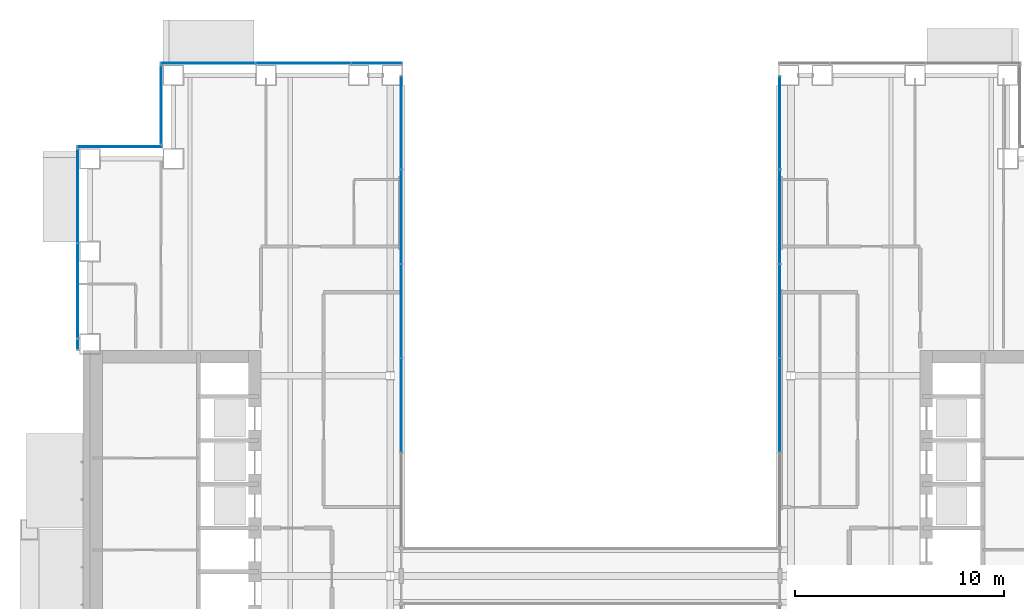
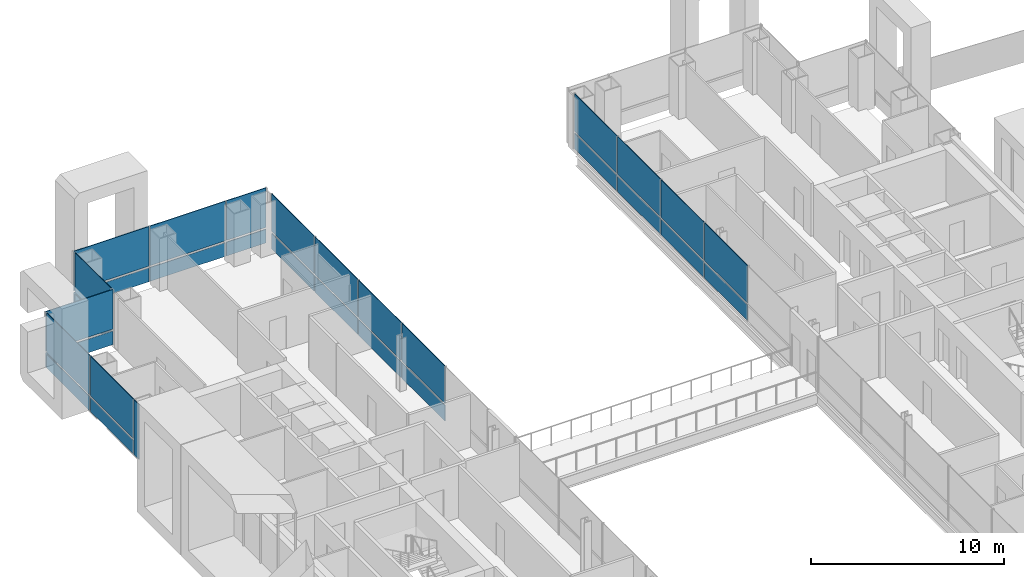
# One storey, part 15 of 26: 31 plates, 6 elements without a shape of their own.
"""IFC4 building model written with IfcOpenShell, lengths in metres."""

from ifc_helpers import new_model, si_unit, direction, frame, origin, origin_2d, place, context, subcontext, project, spatial, rectangle, extrude, material, layer, layer_set, type_object, element, aggregate, save


model = new_model("IFC4")

# Units and contexts
model_context = context("Model", 3, precision=1e-05, world=origin(), true_north=direction((0.0, 1.0)))
body_context = subcontext(model_context, "Body", "Model", "MODEL_VIEW")
ifc_project = project(units=[si_unit("LENGTHUNIT", "METRE"), si_unit("AREAUNIT", "SQUARE_METRE"), si_unit("VOLUMEUNIT", "CUBIC_METRE"), si_unit("PLANEANGLEUNIT", "RADIAN"), si_unit("MASSUNIT", "GRAM", prefix="KILO")], contexts=[model_context])

# Site, building, storey
site_placement = place(None, origin())
site = spatial("IfcSite", under=ifc_project, at=site_placement, CompositionType="ELEMENT")
building_placement = place(site_placement, origin())
building = spatial("IfcBuilding", under=site, at=building_placement, Name="Cobrizo Arcos Hotel Tower", CompositionType="ELEMENT")
storey_placement = place(building_placement, frame((0.0, 0.0, 67.0)))
storey = spatial("IfcBuildingStorey", under=building, at=storey_placement, Name="L15", CompositionType="ELEMENT", Elevation=67.0)

# Curtain wall, plates
ifc_material_1 = material(Name="Aluminium 6063-T6 anodised bronze", Category="aluminium")
curtain_wall_type_1 = type_object("IfcCurtainWallType", Name="CW-A guest facade", PredefinedType="NOTDEFINED", material=ifc_material_1)
curtain_wall_1_placement = place(storey_placement, origin())
curtain_wall_1 = element("IfcCurtainWall", 1, at=curtain_wall_1_placement, inside=storey, type_object=curtain_wall_type_1, Name="CW-A L15 N face", PredefinedType="NOTDEFINED")
ifc_material_2 = material(Name="Glass clear laminated low-e", Category="glass")
ifc_layer_1 = layer(ifc_material_2, 0.0400390625)
ifc_layer_set_1 = layer_set([ifc_layer_1], Name="CW-A glass panel")
plate_type_1 = type_object("IfcPlateType", Name="CW-A glass panel", PredefinedType="CURTAIN_PANEL", material=ifc_layer_set_1)
plate_1_placement = place(storey_placement, frame((-10.251220703125, 24.574951171875, 0.990234375), z_axis=(0.0, 0.0, 1.0), x_axis=(-1.0, 0.0, 0.0)))
plate_1 = element("IfcPlate", 2, at=plate_1_placement, type_object=plate_type_1, Name="CW-A glass panel 672", PredefinedType="CURTAIN_PANEL", context=body_context, shape_type="SweptSolid", body=[
    extrude(rectangle(XDim=2.38232421875, YDim=0.0400390625, at=origin_2d()), origin(), (0.0, 0.0, 1.0), 2.510009765625),
])
plate_2_placement = place(storey_placement, frame((-13.7666015625, 24.574951171875, 0.990234375), z_axis=(0.0, 0.0, 1.0), x_axis=(-1.0, 0.0, 0.0)))
plate_2 = element("IfcPlate", 3, at=plate_2_placement, type_object=plate_type_1, Name="CW-A glass panel 673", PredefinedType="CURTAIN_PANEL", context=body_context, shape_type="SweptSolid", body=[
    extrude(rectangle(XDim=4.52880859375, YDim=0.0400390625, at=origin_2d()), origin(), (0.0, 0.0, 1.0), 2.510009765625),
])
plate_3_placement = place(storey_placement, frame((-18.340576171875, 24.574951171875, 0.990234375), z_axis=(0.0, 0.0, 1.0), x_axis=(-1.0, 0.0, 0.0)))
plate_3 = element("IfcPlate", 4, at=plate_3_placement, type_object=plate_type_1, Name="CW-A glass panel 674", PredefinedType="CURTAIN_PANEL", context=body_context, shape_type="SweptSolid", body=[
    extrude(rectangle(XDim=4.498779296875, YDim=0.0400390625, at=origin_2d()), origin(), (0.0, 0.0, 1.0), 2.510009765625),
])

# Curtain wall, plate
curtain_wall_2_placement = place(storey_placement, origin())
curtain_wall_2 = element("IfcCurtainWall", 5, at=curtain_wall_2_placement, inside=storey, type_object=curtain_wall_type_1, Name="CW-A L15 W face", PredefinedType="NOTDEFINED")
plate_4_placement = place(storey_placement, frame((-20.574951171875, 22.574951171875, 0.990234375), z_axis=(0.0, 0.0, 1.0), x_axis=(0.0, -1.0, 0.0)))
plate_4 = element("IfcPlate", 6, at=plate_4_placement, type_object=plate_type_1, Name="CW-A glass panel 675", PredefinedType="CURTAIN_PANEL", context=body_context, shape_type="SweptSolid", body=[
    extrude(rectangle(XDim=3.72998046875, YDim=0.0400390625, at=origin_2d()), origin(), (0.0, 0.0, 1.0), 2.510009765625),
])

curtain_wall_3_placement = place(storey_placement, origin())
curtain_wall_3 = element("IfcCurtainWall", 7, at=curtain_wall_3_placement, inside=storey, type_object=curtain_wall_type_1, Name="CW-A L15 N face", PredefinedType="NOTDEFINED")
plate_5_placement = place(storey_placement, frame((-22.574951171875, 20.574951171875, 0.990234375), z_axis=(0.0, 0.0, 1.0), x_axis=(-1.0, 0.0, 0.0)))
plate_5 = element("IfcPlate", 8, at=plate_5_placement, type_object=plate_type_1, Name="CW-A glass panel 676", PredefinedType="CURTAIN_PANEL", context=body_context, shape_type="SweptSolid", body=[
    extrude(rectangle(XDim=4.030029296875, YDim=0.0400390625, at=origin_2d()), origin(), (0.0, 0.0, 1.0), 2.510009765625),
])

# Curtain wall, plates
curtain_wall_4_placement = place(storey_placement, origin())
curtain_wall_4 = element("IfcCurtainWall", 9, at=curtain_wall_4_placement, inside=storey, type_object=curtain_wall_type_1, Name="CW-A L15 W face", PredefinedType="NOTDEFINED")
plate_6_placement = place(storey_placement, frame((-24.574951171875, 18.207275390625, 0.990234375), z_axis=(0.0, 0.0, 1.0), x_axis=(0.0, -1.0, 0.0)))
plate_6 = element("IfcPlate", 10, at=plate_6_placement, type_object=plate_type_1, Name="CW-A glass panel 677", PredefinedType="CURTAIN_PANEL", context=body_context, shape_type="SweptSolid", body=[
    extrude(rectangle(XDim=4.465576171875, YDim=0.0400390625, at=origin_2d()), origin(), (0.0, 0.0, 1.0), 2.510009765625),
])
plate_7_placement = place(storey_placement, frame((-24.574951171875, 13.666748046875, 0.990234375), z_axis=(0.0, 0.0, 1.0), x_axis=(0.0, -1.0, 0.0)))
plate_7 = element("IfcPlate", 11, at=plate_7_placement, type_object=plate_type_1, Name="CW-A glass panel 678", PredefinedType="CURTAIN_PANEL", context=body_context, shape_type="SweptSolid", body=[
    extrude(rectangle(XDim=4.49560546875, YDim=0.0400390625, at=origin_2d()), origin(), (0.0, 0.0, 1.0), 2.510009765625),
])

# Plate
ifc_material_3 = material(Name="Aluminium composite panel pale metal", Category="aluminium")
ifc_layer_2 = layer(ifc_material_3, 0.0400390625)
ifc_layer_set_2 = layer_set([ifc_layer_2], Name="CW-A spandrel panel")
plate_type_2 = type_object("IfcPlateType", Name="CW-A spandrel panel", PredefinedType="CURTAIN_PANEL", material=ifc_layer_set_2)
plate_8_placement = place(storey_placement, frame((-10.251220703125, 24.574951171875, 0.0), z_axis=(0.0, 0.0, 1.0), x_axis=(-1.0, 0.0, 0.0)))
plate_8 = element("IfcPlate", 12, at=plate_8_placement, type_object=plate_type_2, Name="CW-A spandrel panel 672", PredefinedType="CURTAIN_PANEL", context=body_context, shape_type="SweptSolid", body=[
    extrude(rectangle(XDim=2.38232421875, YDim=0.0400390625, at=origin_2d()), origin(), (0.0, 0.0, 1.0), 0.8701171875),
])

plate_9_placement = place(storey_placement, frame((-13.7666015625, 24.574951171875, 0.0), z_axis=(0.0, 0.0, 1.0), x_axis=(-1.0, 0.0, 0.0)))
plate_9 = element("IfcPlate", 13, at=plate_9_placement, type_object=plate_type_2, Name="CW-A spandrel panel 673", PredefinedType="CURTAIN_PANEL", context=body_context, shape_type="SweptSolid", body=[
    extrude(rectangle(XDim=4.52880859375, YDim=0.0400390625, at=origin_2d()), origin(), (0.0, 0.0, 1.0), 0.8701171875),
])

plate_10_placement = place(storey_placement, frame((-18.340576171875, 24.574951171875, 0.0), z_axis=(0.0, 0.0, 1.0), x_axis=(-1.0, 0.0, 0.0)))
plate_10 = element("IfcPlate", 14, at=plate_10_placement, type_object=plate_type_2, Name="CW-A spandrel panel 674", PredefinedType="CURTAIN_PANEL", context=body_context, shape_type="SweptSolid", body=[
    extrude(rectangle(XDim=4.498779296875, YDim=0.0400390625, at=origin_2d()), origin(), (0.0, 0.0, 1.0), 0.8701171875),
])

aggregate(curtain_wall_1, [plate_8, plate_1, plate_9, plate_2, plate_10, plate_3])

plate_11_placement = place(storey_placement, frame((-20.574951171875, 22.574951171875, 0.0), z_axis=(0.0, 0.0, 1.0), x_axis=(0.0, -1.0, 0.0)))
plate_11 = element("IfcPlate", 15, at=plate_11_placement, type_object=plate_type_2, Name="CW-A spandrel panel 675", PredefinedType="CURTAIN_PANEL", context=body_context, shape_type="SweptSolid", body=[
    extrude(rectangle(XDim=3.72998046875, YDim=0.0400390625, at=origin_2d()), origin(), (0.0, 0.0, 1.0), 0.8701171875),
])

aggregate(curtain_wall_2, [plate_11, plate_4])

plate_12_placement = place(storey_placement, frame((-22.574951171875, 20.574951171875, 0.0), z_axis=(0.0, 0.0, 1.0), x_axis=(-1.0, 0.0, 0.0)))
plate_12 = element("IfcPlate", 16, at=plate_12_placement, type_object=plate_type_2, Name="CW-A spandrel panel 676", PredefinedType="CURTAIN_PANEL", context=body_context, shape_type="SweptSolid", body=[
    extrude(rectangle(XDim=4.030029296875, YDim=0.0400390625, at=origin_2d()), origin(), (0.0, 0.0, 1.0), 0.8701171875),
])

aggregate(curtain_wall_3, [plate_12, plate_5])

plate_13_placement = place(storey_placement, frame((-24.574951171875, 18.207275390625, 0.0), z_axis=(0.0, 0.0, 1.0), x_axis=(0.0, -1.0, 0.0)))
plate_13 = element("IfcPlate", 17, at=plate_13_placement, type_object=plate_type_2, Name="CW-A spandrel panel 677", PredefinedType="CURTAIN_PANEL", context=body_context, shape_type="SweptSolid", body=[
    extrude(rectangle(XDim=4.465576171875, YDim=0.0400390625, at=origin_2d()), origin(), (0.0, 0.0, 1.0), 0.8701171875),
])

plate_14_placement = place(storey_placement, frame((-24.574951171875, 13.666748046875, 0.0), z_axis=(0.0, 0.0, 1.0), x_axis=(0.0, -1.0, 0.0)))
plate_14 = element("IfcPlate", 18, at=plate_14_placement, type_object=plate_type_2, Name="CW-A spandrel panel 678", PredefinedType="CURTAIN_PANEL", context=body_context, shape_type="SweptSolid", body=[
    extrude(rectangle(XDim=4.49560546875, YDim=0.0400390625, at=origin_2d()), origin(), (0.0, 0.0, 1.0), 0.8701171875),
])

plate_15_placement = place(storey_placement, frame((-24.574951171875, 11.109375, 0.0), z_axis=(0.0, 0.0, 1.0), x_axis=(0.0, -1.0, 0.0)))
plate_15 = element("IfcPlate", 19, at=plate_15_placement, type_object=plate_type_2, Name="CW-A spandrel panel 679", PredefinedType="CURTAIN_PANEL", context=body_context, shape_type="SweptSolid", body=[
    extrude(rectangle(XDim=0.498779296875, YDim=0.0400390625, at=origin_2d()), origin(), (0.0, 0.0, 1.0), 3.5),
])

aggregate(curtain_wall_4, [plate_13, plate_6, plate_14, plate_7, plate_15])

# Curtain wall, plates
curtain_wall_type_2 = type_object("IfcCurtainWallType", Name="CW-F void screen", PredefinedType="NOTDEFINED", material=ifc_material_1)
curtain_wall_5_placement = place(storey_placement, origin())
curtain_wall_5 = element("IfcCurtainWall", 20, at=curtain_wall_5_placement, inside=storey, type_object=curtain_wall_type_2, Name="CW-F L15 void screen A", PredefinedType="NOTDEFINED")
ifc_layer_3 = layer(ifc_material_2, 0.0400390625)
ifc_layer_set_3 = layer_set([ifc_layer_3], Name="CW-F glass panel")
plate_type_3 = type_object("IfcPlateType", Name="CW-F glass panel", PredefinedType="CURTAIN_PANEL", material=ifc_layer_set_3)
plate_16_placement = place(storey_placement, frame((9.074951171875, 8.179931640625, 0.0), z_axis=(0.0, 0.0, 1.0), x_axis=(0.0, 1.0, 0.0)))
plate_16 = element("IfcPlate", 21, at=plate_16_placement, type_object=plate_type_3, Name="CW-F glass panel 2474", PredefinedType="CURTAIN_PANEL", context=body_context, shape_type="SweptSolid", body=[
    extrude(rectangle(XDim=4.4599609375, YDim=0.0400390625, at=origin_2d()), origin(), (0.0, 0.0, 1.0), 0.989990234375),
])
plate_17_placement = place(storey_placement, frame((9.074951171875, 8.179931640625, 1.10986328125), z_axis=(0.0, 0.0, 1.0), x_axis=(0.0, 1.0, 0.0)))
plate_17 = element("IfcPlate", 22, at=plate_17_placement, type_object=plate_type_3, Name="CW-F glass panel 2474", PredefinedType="CURTAIN_PANEL", context=body_context, shape_type="SweptSolid", body=[
    extrude(rectangle(XDim=4.4599609375, YDim=0.0400390625, at=origin_2d()), origin(), (0.0, 0.0, 1.0), 2.389892578125),
])
plate_18_placement = place(storey_placement, frame((9.074951171875, 12.699951171875, 0.0), z_axis=(0.0, 0.0, 1.0), x_axis=(0.0, 1.0, 0.0)))
plate_18 = element("IfcPlate", 23, at=plate_18_placement, type_object=plate_type_3, Name="CW-F glass panel 2475", PredefinedType="CURTAIN_PANEL", context=body_context, shape_type="SweptSolid", body=[
    extrude(rectangle(XDim=4.4599609375, YDim=0.0400390625, at=origin_2d()), origin(), (0.0, 0.0, 1.0), 0.989990234375),
])
plate_19_placement = place(storey_placement, frame((9.074951171875, 12.699951171875, 1.10986328125), z_axis=(0.0, 0.0, 1.0), x_axis=(0.0, 1.0, 0.0)))
plate_19 = element("IfcPlate", 24, at=plate_19_placement, type_object=plate_type_3, Name="CW-F glass panel 2475", PredefinedType="CURTAIN_PANEL", context=body_context, shape_type="SweptSolid", body=[
    extrude(rectangle(XDim=4.4599609375, YDim=0.0400390625, at=origin_2d()), origin(), (0.0, 0.0, 1.0), 2.389892578125),
])
plate_20_placement = place(storey_placement, frame((9.074951171875, 17.219970703125, 0.0), z_axis=(0.0, 0.0, 1.0), x_axis=(0.0, 1.0, 0.0)))
plate_20 = element("IfcPlate", 25, at=plate_20_placement, type_object=plate_type_3, Name="CW-F glass panel 2476", PredefinedType="CURTAIN_PANEL", context=body_context, shape_type="SweptSolid", body=[
    extrude(rectangle(XDim=4.4599609375, YDim=0.0400390625, at=origin_2d()), origin(), (0.0, 0.0, 1.0), 0.989990234375),
])
plate_21_placement = place(storey_placement, frame((9.074951171875, 17.219970703125, 1.10986328125), z_axis=(0.0, 0.0, 1.0), x_axis=(0.0, 1.0, 0.0)))
plate_21 = element("IfcPlate", 26, at=plate_21_placement, type_object=plate_type_3, Name="CW-F glass panel 2476", PredefinedType="CURTAIN_PANEL", context=body_context, shape_type="SweptSolid", body=[
    extrude(rectangle(XDim=4.4599609375, YDim=0.0400390625, at=origin_2d()), origin(), (0.0, 0.0, 1.0), 2.389892578125),
])
plate_22_placement = place(storey_placement, frame((9.074951171875, 21.72509765625, 0.0), z_axis=(0.0, 0.0, 1.0), x_axis=(0.0, 1.0, 0.0)))
plate_22 = element("IfcPlate", 27, at=plate_22_placement, type_object=plate_type_3, Name="CW-F glass panel 2477", PredefinedType="CURTAIN_PANEL", context=body_context, shape_type="SweptSolid", body=[
    extrude(rectangle(XDim=4.429931640625, YDim=0.0400390625, at=origin_2d()), origin(), (0.0, 0.0, 1.0), 0.989990234375),
])
plate_23_placement = place(storey_placement, frame((9.074951171875, 21.72509765625, 1.10986328125), z_axis=(0.0, 0.0, 1.0), x_axis=(0.0, 1.0, 0.0)))
plate_23 = element("IfcPlate", 28, at=plate_23_placement, type_object=plate_type_3, Name="CW-F glass panel 2477", PredefinedType="CURTAIN_PANEL", context=body_context, shape_type="SweptSolid", body=[
    extrude(rectangle(XDim=4.429931640625, YDim=0.0400390625, at=origin_2d()), origin(), (0.0, 0.0, 1.0), 2.389892578125),
])
aggregate(curtain_wall_5, [plate_16, plate_17, plate_18, plate_19, plate_20, plate_21, plate_22, plate_23])

curtain_wall_6_placement = place(storey_placement, origin())
curtain_wall_6 = element("IfcCurtainWall", 29, at=curtain_wall_6_placement, inside=storey, type_object=curtain_wall_type_2, Name="CW-F L15 void screen A", PredefinedType="NOTDEFINED")
plate_24_placement = place(storey_placement, frame((-9.074951171875, 21.72509765625, 0.0), z_axis=(0.0, 0.0, 1.0), x_axis=(0.0, -1.0, 0.0)))
plate_24 = element("IfcPlate", 30, at=plate_24_placement, type_object=plate_type_3, Name="CW-F glass panel 2478", PredefinedType="CURTAIN_PANEL", context=body_context, shape_type="SweptSolid", body=[
    extrude(rectangle(XDim=4.429931640625, YDim=0.0400390625, at=origin_2d()), origin(), (0.0, 0.0, 1.0), 0.989990234375),
])
plate_25_placement = place(storey_placement, frame((-9.074951171875, 21.72509765625, 1.10986328125), z_axis=(0.0, 0.0, 1.0), x_axis=(0.0, -1.0, 0.0)))
plate_25 = element("IfcPlate", 31, at=plate_25_placement, type_object=plate_type_3, Name="CW-F glass panel 2478", PredefinedType="CURTAIN_PANEL", context=body_context, shape_type="SweptSolid", body=[
    extrude(rectangle(XDim=4.429931640625, YDim=0.0400390625, at=origin_2d()), origin(), (0.0, 0.0, 1.0), 2.389892578125),
])
plate_26_placement = place(storey_placement, frame((-9.074951171875, 17.219970703125, 0.0), z_axis=(0.0, 0.0, 1.0), x_axis=(0.0, -1.0, 0.0)))
plate_26 = element("IfcPlate", 32, at=plate_26_placement, type_object=plate_type_3, Name="CW-F glass panel 2479", PredefinedType="CURTAIN_PANEL", context=body_context, shape_type="SweptSolid", body=[
    extrude(rectangle(XDim=4.4599609375, YDim=0.0400390625, at=origin_2d()), origin(), (0.0, 0.0, 1.0), 0.989990234375),
])
plate_27_placement = place(storey_placement, frame((-9.074951171875, 17.219970703125, 1.10986328125), z_axis=(0.0, 0.0, 1.0), x_axis=(0.0, -1.0, 0.0)))
plate_27 = element("IfcPlate", 33, at=plate_27_placement, type_object=plate_type_3, Name="CW-F glass panel 2479", PredefinedType="CURTAIN_PANEL", context=body_context, shape_type="SweptSolid", body=[
    extrude(rectangle(XDim=4.4599609375, YDim=0.0400390625, at=origin_2d()), origin(), (0.0, 0.0, 1.0), 2.389892578125),
])
plate_28_placement = place(storey_placement, frame((-9.074951171875, 12.699951171875, 0.0), z_axis=(0.0, 0.0, 1.0), x_axis=(0.0, -1.0, 0.0)))
plate_28 = element("IfcPlate", 34, at=plate_28_placement, type_object=plate_type_3, Name="CW-F glass panel 2480", PredefinedType="CURTAIN_PANEL", context=body_context, shape_type="SweptSolid", body=[
    extrude(rectangle(XDim=4.4599609375, YDim=0.0400390625, at=origin_2d()), origin(), (0.0, 0.0, 1.0), 0.989990234375),
])
plate_29_placement = place(storey_placement, frame((-9.074951171875, 12.699951171875, 1.10986328125), z_axis=(0.0, 0.0, 1.0), x_axis=(0.0, -1.0, 0.0)))
plate_29 = element("IfcPlate", 35, at=plate_29_placement, type_object=plate_type_3, Name="CW-F glass panel 2480", PredefinedType="CURTAIN_PANEL", context=body_context, shape_type="SweptSolid", body=[
    extrude(rectangle(XDim=4.4599609375, YDim=0.0400390625, at=origin_2d()), origin(), (0.0, 0.0, 1.0), 2.389892578125),
])
plate_30_placement = place(storey_placement, frame((-9.074951171875, 8.179931640625, 0.0), z_axis=(0.0, 0.0, 1.0), x_axis=(0.0, -1.0, 0.0)))
plate_30 = element("IfcPlate", 36, at=plate_30_placement, type_object=plate_type_3, Name="CW-F glass panel 2481", PredefinedType="CURTAIN_PANEL", context=body_context, shape_type="SweptSolid", body=[
    extrude(rectangle(XDim=4.4599609375, YDim=0.0400390625, at=origin_2d()), origin(), (0.0, 0.0, 1.0), 0.989990234375),
])
plate_31_placement = place(storey_placement, frame((-9.074951171875, 8.179931640625, 1.10986328125), z_axis=(0.0, 0.0, 1.0), x_axis=(0.0, -1.0, 0.0)))
plate_31 = element("IfcPlate", 37, at=plate_31_placement, type_object=plate_type_3, Name="CW-F glass panel 2481", PredefinedType="CURTAIN_PANEL", context=body_context, shape_type="SweptSolid", body=[
    extrude(rectangle(XDim=4.4599609375, YDim=0.0400390625, at=origin_2d()), origin(), (0.0, 0.0, 1.0), 2.389892578125),
])
aggregate(curtain_wall_6, [plate_24, plate_25, plate_26, plate_27, plate_28, plate_29, plate_30, plate_31])

save(model, "model.ifc")
